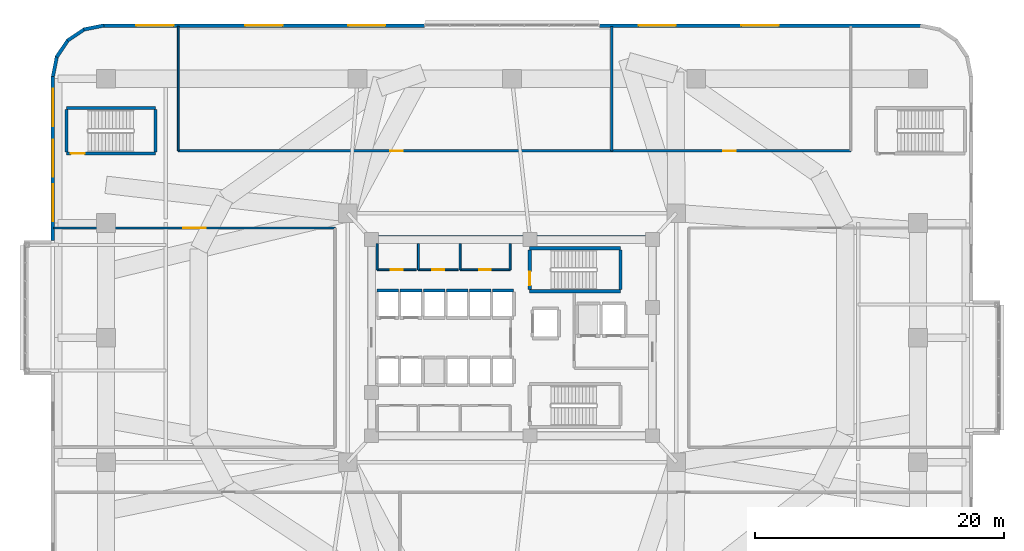
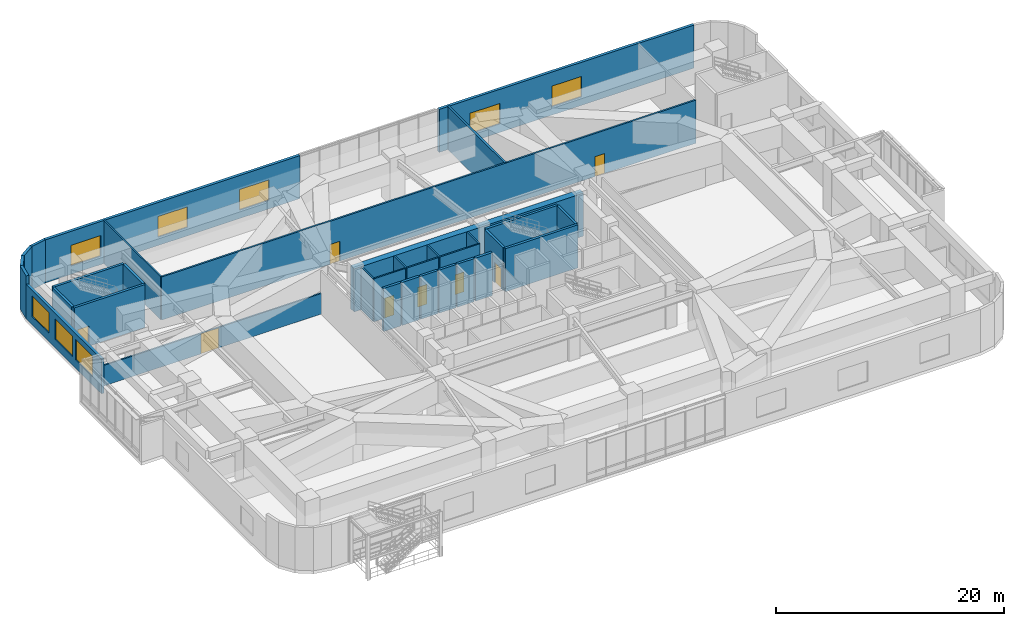
# One storey, part 19 of 26: 33 walls, 8 doors, 8 windows, 16 openings.
"""IFC4 building model written with IfcOpenShell, lengths in metres."""

from ifc_helpers import new_model, si_unit, direction, frame, frame_2d, origin, place, context, subcontext, project, spatial, rectangle, extrude, material, layer, layer_set, type_object, element, fill, save


model = new_model("IFC4")

# Units and contexts
model_context = context("Model", 3, precision=1e-05, world=origin(), true_north=direction((0.0, 1.0)))
body_context = subcontext(model_context, "Body", "Model", "MODEL_VIEW")
ifc_project = project(units=[si_unit("LENGTHUNIT", "METRE"), si_unit("AREAUNIT", "SQUARE_METRE"), si_unit("VOLUMEUNIT", "CUBIC_METRE"), si_unit("PLANEANGLEUNIT", "RADIAN"), si_unit("MASSUNIT", "GRAM", prefix="KILO")], contexts=[model_context])

# Site, building, storey
site_placement = place(None, origin())
site = spatial("IfcSite", under=ifc_project, at=site_placement, CompositionType="ELEMENT")
building_placement = place(site_placement, origin())
building = spatial("IfcBuilding", under=site, at=building_placement, Name="Zulverin Broadcast Headquarters", CompositionType="ELEMENT")
storey_placement = place(building_placement, frame((0.0, 0.0, 20.0)))
storey = spatial("IfcBuildingStorey", under=building, at=storey_placement, Name="L04", CompositionType="ELEMENT", Elevation=20.0)

# Walls
ifc_material_1 = material(Name="Acoustic drywall steel stud", Category="steel")
ifc_layer_1 = layer(ifc_material_1, 0.199951171875, Name="Acoustic drywall steel stud", Category="steel")
ifc_layer_set_1 = layer_set([ifc_layer_1], Name="Acoustic drywall steel stud")
wall_type_1 = type_object("IfcWallType", Name="WL-ACOU-200", PredefinedType="PARTITIONING", material=ifc_layer_set_1)
wall_1_placement = place(storey_placement, frame((45.0, 40.199951171875, 0.0), z_axis=(0.0, 0.0, 1.0), x_axis=(0.0, 1.0, 0.0)))
element("IfcWall", 1, at=wall_1_placement, inside=storey, type_object=wall_type_1, Name="L04 Room Partition Wall RP-03", PredefinedType="PARTITIONING", context=body_context, shape_type="SweptSolid", body=[
    extrude(rectangle(XDim=9.9951171875, YDim=0.199951171875, at=frame_2d((4.99755859375, 0.0))), origin(), (0.0, 0.0, 1.0), 4.60009765625),
])
ifc_material_2 = material(Name="Concrete C60/75", Category="concrete")
ifc_layer_2 = layer(ifc_material_2, 0.64990234375, Name="Concrete C60/75", Category="concrete")
ifc_layer_set_2 = layer_set([ifc_layer_2], Name="Concrete C60/75")
wall_type_2 = type_object("IfcWallType", Name="WL-CORE-650", PredefinedType="SHEAR", material=ifc_layer_set_2)
wall_2_placement = place(storey_placement, frame((25.39990234375, 33.074951171875, 0.0), z_axis=(0.0, 0.0, 1.0), x_axis=(1.0, 0.0, 0.0)))
element("IfcWall", 2, at=wall_2_placement, inside=storey, type_object=wall_type_2, Name="L04 Core North Shear Wall", PredefinedType="SHEAR", context=body_context, shape_type="SweptSolid", body=[
    extrude(rectangle(XDim=23.2001953125, YDim=0.64990234375, at=frame_2d((11.60009765625, 0.0))), origin(), (0.0, 0.0, 1.0), 4.60009765625),
])

# Wall, openings, windows
ifc_material_3 = material(Name="Insulated pale-metal clad concrete spandrel C40/50", Category="concrete")
ifc_layer_3 = layer(ifc_material_3, 0.280029296875, Name="Insulated pale-metal clad concrete spandrel C40/50", Category="concrete")
ifc_layer_set_3 = layer_set([ifc_layer_3], Name="Insulated pale-metal clad concrete spandrel C40/50")
wall_type_3 = type_object("IfcWallType", Name="WL-EXT-280", PredefinedType="STANDARD", material=ifc_layer_set_3)
wall_3_placement = place(storey_placement, frame((69.800048828125, 50.260009765625, 0.0), z_axis=(0.0, 0.0, 1.0), x_axis=(-1.0, 0.0, 0.0)))
wall_3 = element("IfcWall", 3, at=wall_3_placement, inside=storey, type_object=wall_type_3, Name="L04 Podium Flank Wall 2-1", PredefinedType="STANDARD", context=body_context, shape_type="SweptSolid", body=[
    extrude(rectangle(XDim=25.761962890625, YDim=0.280029296875, at=frame_2d((12.880859375, 0.0))), origin(), (0.0, 0.0, 1.0), 4.60009765625),
])
opening_1_placement = place(wall_3_placement, frame((11.381103515625, 0.0, 0.89990234375)))
opening_1 = element("IfcOpeningElement", 4, at=opening_1_placement, cuts=wall_3, Name="Opening W-L04-F211", PredefinedType="OPENING", context=body_context, shape_type="SweptSolid", body=[
    extrude(rectangle(XDim=3.0, YDim=2.199951171875, at=frame_2d((1.5, 1.10009765625))), frame((0.0, 0.14990234375, 0.0), z_axis=(0.0, -1.0, 0.0), x_axis=(1.0, 0.0, 0.0)), (0.0, 0.0, 1.0), 0.300048828125),
])
opening_2_placement = place(wall_3_placement, frame((19.635009765625, 0.0, 0.89990234375)))
opening_2 = element("IfcOpeningElement", 5, at=opening_2_placement, cuts=wall_3, Name="Opening W-L04-F212", PredefinedType="OPENING", context=body_context, shape_type="SweptSolid", body=[
    extrude(rectangle(XDim=3.0, YDim=2.199951171875, at=frame_2d((1.5, 1.10009765625))), frame((0.0, 0.14990234375, 0.0), z_axis=(0.0, -1.0, 0.0), x_axis=(1.0, 0.0, 0.0)), (0.0, 0.0, 1.0), 0.300048828125),
])
ifc_material_4 = material(Name="Pale anodized aluminium frame with solar-control low-E double glazing", Category="aluminium")
window_type = type_object("IfcWindowType", Name="WIN-POD-3000", PartitioningType="SINGLE_PANEL", PredefinedType="WINDOW", material=ifc_material_4)
window_1_placement = place(opening_1_placement, origin())
window_1 = element("IfcWindow", 6, at=window_1_placement, inside=storey, type_object=window_type, Name="L04 Podium Flank Window 2-1 1", OverallHeight=2.199951171875, OverallWidth=3.0, PartitioningType="SINGLE_PANEL", PredefinedType="WINDOW", context=body_context, shape_type="SweptSolid", body=[
    extrude(rectangle(XDim=3.0, YDim=2.199951171875, at=frame_2d((1.5, 1.10009765625))), frame((0.0, 0.030029296875, 0.0), z_axis=(0.0, -1.0, 0.0), x_axis=(1.0, 0.0, 0.0)), (0.0, 0.0, 1.0), 0.06005859375),
])
fill(opening_1, window_1)
window_2_placement = place(opening_2_placement, origin())
window_2 = element("IfcWindow", 7, at=window_2_placement, inside=storey, type_object=window_type, Name="L04 Podium Flank Window 2-1 2", OverallHeight=2.199951171875, OverallWidth=3.0, PartitioningType="SINGLE_PANEL", PredefinedType="WINDOW", context=body_context, shape_type="SweptSolid", body=[
    extrude(rectangle(XDim=3.0, YDim=2.199951171875, at=frame_2d((1.5, 1.10009765625))), frame((0.0, 0.030029296875, 0.0), z_axis=(0.0, -1.0, 0.0), x_axis=(1.0, 0.0, 0.0)), (0.0, 0.0, 1.0), 0.06005859375),
])
fill(opening_2, window_2)

wall_4_placement = place(storey_placement, frame((29.9619140625, 50.260009765625, 0.0), z_axis=(0.0, 0.0, 1.0), x_axis=(-1.0, 0.0, 0.0)))
wall_4 = element("IfcWall", 8, at=wall_4_placement, inside=storey, type_object=wall_type_3, Name="L04 Podium Flank Wall 2-2", PredefinedType="STANDARD", context=body_context, shape_type="SweptSolid", body=[
    extrude(rectangle(XDim=25.761962890625, YDim=0.280029296875, at=frame_2d((12.880859375, 0.0))), origin(), (0.0, 0.0, 1.0), 4.60009765625),
])
opening_3_placement = place(wall_4_placement, frame((3.126953125, 0.0, 0.89990234375)))
opening_3 = element("IfcOpeningElement", 9, at=opening_3_placement, cuts=wall_4, Name="Opening W-L04-F221", PredefinedType="OPENING", context=body_context, shape_type="SweptSolid", body=[
    extrude(rectangle(XDim=3.0, YDim=2.199951171875, at=frame_2d((1.5, 1.10009765625))), frame((0.0, 0.14990234375, 0.0), z_axis=(0.0, -1.0, 0.0), x_axis=(1.0, 0.0, 0.0)), (0.0, 0.0, 1.0), 0.300048828125),
])
opening_4_placement = place(wall_4_placement, frame((11.381103515625, 0.0, 0.89990234375)))
opening_4 = element("IfcOpeningElement", 10, at=opening_4_placement, cuts=wall_4, Name="Opening W-L04-F222", PredefinedType="OPENING", context=body_context, shape_type="SweptSolid", body=[
    extrude(rectangle(XDim=3.0, YDim=2.199951171875, at=frame_2d((1.5, 1.10009765625))), frame((0.0, 0.14990234375, 0.0), z_axis=(0.0, -1.0, 0.0), x_axis=(1.0, 0.0, 0.0)), (0.0, 0.0, 1.0), 0.300048828125),
])
opening_5_placement = place(wall_4_placement, frame((20.135009765625, 0.0, 0.89990234375)))
opening_5 = element("IfcOpeningElement", 11, at=opening_5_placement, cuts=wall_4, Name="Opening W-L04-F223", PredefinedType="OPENING", context=body_context, shape_type="SweptSolid", body=[
    extrude(rectangle(XDim=3.0, YDim=2.199951171875, at=frame_2d((1.5, 1.10009765625))), frame((0.0, 0.14990234375, 0.0), z_axis=(0.0, -1.0, 0.0), x_axis=(1.0, 0.0, 0.0)), (0.0, 0.0, 1.0), 0.300048828125),
])
window_3_placement = place(opening_3_placement, origin())
window_3 = element("IfcWindow", 12, at=window_3_placement, inside=storey, type_object=window_type, Name="L04 Podium Flank Window 2-2 1", OverallHeight=2.199951171875, OverallWidth=3.0, PartitioningType="SINGLE_PANEL", PredefinedType="WINDOW", context=body_context, shape_type="SweptSolid", body=[
    extrude(rectangle(XDim=3.0, YDim=2.199951171875, at=frame_2d((1.5, 1.10009765625))), frame((0.0, 0.030029296875, 0.0), z_axis=(0.0, -1.0, 0.0), x_axis=(1.0, 0.0, 0.0)), (0.0, 0.0, 1.0), 0.06005859375),
])
fill(opening_3, window_3)
window_4_placement = place(opening_4_placement, origin())
window_4 = element("IfcWindow", 13, at=window_4_placement, inside=storey, type_object=window_type, Name="L04 Podium Flank Window 2-2 2", OverallHeight=2.199951171875, OverallWidth=3.0, PartitioningType="SINGLE_PANEL", PredefinedType="WINDOW", context=body_context, shape_type="SweptSolid", body=[
    extrude(rectangle(XDim=3.0, YDim=2.199951171875, at=frame_2d((1.5, 1.10009765625))), frame((0.0, 0.030029296875, 0.0), z_axis=(0.0, -1.0, 0.0), x_axis=(1.0, 0.0, 0.0)), (0.0, 0.0, 1.0), 0.06005859375),
])
fill(opening_4, window_4)
window_5_placement = place(opening_5_placement, origin())
window_5 = element("IfcWindow", 14, at=window_5_placement, inside=storey, type_object=window_type, Name="L04 Podium Flank Window 2-2 3", OverallHeight=2.199951171875, OverallWidth=3.0, PartitioningType="SINGLE_PANEL", PredefinedType="WINDOW", context=body_context, shape_type="SweptSolid", body=[
    extrude(rectangle(XDim=3.0, YDim=2.199951171875, at=frame_2d((1.5, 1.10009765625))), frame((0.0, 0.030029296875, 0.0), z_axis=(0.0, -1.0, 0.0), x_axis=(1.0, 0.0, 0.0)), (0.0, 0.0, 1.0), 0.06005859375),
])
fill(opening_5, window_5)

wall_5_placement = place(storey_placement, frame((0.139892578125, 46.199951171875, 0.0), z_axis=(0.0, 0.0, 1.0), x_axis=(0.0, -1.0, 0.0)))
wall_5 = element("IfcWall", 15, at=wall_5_placement, inside=storey, type_object=wall_type_3, Name="L04 Podium Spandrel Wall 3-1", PredefinedType="STANDARD", context=body_context, shape_type="SweptSolid", body=[
    extrude(rectangle(XDim=13.199951171875, YDim=0.280029296875, at=frame_2d((6.60009765625, 0.0))), origin(), (0.0, 0.0, 1.0), 3.699951171875),
])
opening_6_placement = place(wall_5_placement, frame((1.033203125, 0.0, 0.89990234375)))
opening_6 = element("IfcOpeningElement", 16, at=opening_6_placement, cuts=wall_5, Name="Opening W-L04-E3S11", PredefinedType="OPENING", context=body_context, shape_type="SweptSolid", body=[
    extrude(rectangle(XDim=3.0, YDim=2.199951171875, at=frame_2d((1.5, 1.10009765625))), frame((0.0, 0.14990234375, 0.0), z_axis=(0.0, -1.0, 0.0), x_axis=(1.0, 0.0, 0.0)), (0.0, 0.0, 1.0), 0.300048828125),
])
opening_7_placement = place(wall_5_placement, frame((5.10009765625, 0.0, 0.89990234375)))
opening_7 = element("IfcOpeningElement", 17, at=opening_7_placement, cuts=wall_5, Name="Opening W-L04-E3S12", PredefinedType="OPENING", context=body_context, shape_type="SweptSolid", body=[
    extrude(rectangle(XDim=3.0, YDim=2.199951171875, at=frame_2d((1.5, 1.10009765625))), frame((0.0, 0.14990234375, 0.0), z_axis=(0.0, -1.0, 0.0), x_axis=(1.0, 0.0, 0.0)), (0.0, 0.0, 1.0), 0.300048828125),
])
opening_8_placement = place(wall_5_placement, frame((8.666748046875, 0.0, 0.89990234375)))
opening_8 = element("IfcOpeningElement", 18, at=opening_8_placement, cuts=wall_5, Name="Opening W-L04-E3S13", PredefinedType="OPENING", context=body_context, shape_type="SweptSolid", body=[
    extrude(rectangle(XDim=3.0, YDim=2.199951171875, at=frame_2d((1.5, 1.10009765625))), frame((0.0, 0.14990234375, 0.0), z_axis=(0.0, -1.0, 0.0), x_axis=(1.0, 0.0, 0.0)), (0.0, 0.0, 1.0), 0.300048828125),
])
window_6_placement = place(opening_6_placement, origin())
window_6 = element("IfcWindow", 19, at=window_6_placement, inside=storey, type_object=window_type, Name="L04 Podium Ribbon Window 3-1 1", OverallHeight=2.199951171875, OverallWidth=3.0, PartitioningType="SINGLE_PANEL", PredefinedType="WINDOW", context=body_context, shape_type="SweptSolid", body=[
    extrude(rectangle(XDim=3.0, YDim=2.199951171875, at=frame_2d((1.5, 1.10009765625))), frame((0.0, 0.030029296875, 0.0), z_axis=(0.0, -1.0, 0.0), x_axis=(1.0, 0.0, 0.0)), (0.0, 0.0, 1.0), 0.06005859375),
])
fill(opening_6, window_6)
window_7_placement = place(opening_7_placement, origin())
window_7 = element("IfcWindow", 20, at=window_7_placement, inside=storey, type_object=window_type, Name="L04 Podium Ribbon Window 3-1 2", OverallHeight=2.199951171875, OverallWidth=3.0, PartitioningType="SINGLE_PANEL", PredefinedType="WINDOW", context=body_context, shape_type="SweptSolid", body=[
    extrude(rectangle(XDim=3.0, YDim=2.199951171875, at=frame_2d((1.5, 1.10009765625))), frame((0.0, 0.030029296875, 0.0), z_axis=(0.0, -1.0, 0.0), x_axis=(1.0, 0.0, 0.0)), (0.0, 0.0, 1.0), 0.06005859375),
])
fill(opening_7, window_7)
window_8_placement = place(opening_8_placement, origin())
window_8 = element("IfcWindow", 21, at=window_8_placement, inside=storey, type_object=window_type, Name="L04 Podium Ribbon Window 3-1 3", OverallHeight=2.199951171875, OverallWidth=3.0, PartitioningType="SINGLE_PANEL", PredefinedType="WINDOW", context=body_context, shape_type="SweptSolid", body=[
    extrude(rectangle(XDim=3.0, YDim=2.199951171875, at=frame_2d((1.5, 1.10009765625))), frame((0.0, 0.030029296875, 0.0), z_axis=(0.0, -1.0, 0.0), x_axis=(1.0, 0.0, 0.0)), (0.0, 0.0, 1.0), 0.06005859375),
])
fill(opening_8, window_8)

# Walls
wall_6_placement = place(storey_placement, frame((4.227294921875, 50.2626953125, 0.0), z_axis=(0.0, 0.0, 1.0), x_axis=(-0.980797825116, -0.195027244885, 0.0)))
element("IfcWall", 22, at=wall_6_placement, inside=storey, type_object=wall_type_3, Name="L04 Wind-Shaped Corner Spandrel Wall 2-1", PredefinedType="STANDARD", context=body_context, shape_type="SweptSolid", body=[
    extrude(rectangle(XDim=1.638671875, YDim=0.280029296875, at=frame_2d((0.8193359375, 0.0))), origin(), (0.0, 0.0, 1.0), 4.60009765625),
])
wall_7_placement = place(storey_placement, frame((2.67041015625, 49.9638671875, 0.0), z_axis=(0.0, 0.0, 1.0), x_axis=(-0.831430845238, -0.555628247651, 0.0)))
element("IfcWall", 23, at=wall_7_placement, inside=storey, type_object=wall_type_3, Name="L04 Wind-Shaped Corner Spandrel Wall 2-2", PredefinedType="STANDARD", context=body_context, shape_type="SweptSolid", body=[
    extrude(rectangle(XDim=1.638427734375, YDim=0.280029296875, at=frame_2d((0.8193359375, 0.0))), origin(), (0.0, 0.0, 1.0), 4.60009765625),
])
for number, where, z_axis, x_axis, name in (
    (24, (1.3466796875, 49.092041015625, 0.0), (0.0, 0.0, 1.0), (-0.555662407875, -0.831408015643, 0.0), "L04 Wind-Shaped Corner Spandrel Wall 2-3"),
    (25, (0.45703125, 47.780029296875, 0.0), (0.0, 0.0, 1.0), (-0.195142046967, -0.980774990253, 0.0), "L04 Wind-Shaped Corner Spandrel Wall 2-4"),
):
    element("IfcWall", number, at=place(storey_placement, frame(where, z_axis=z_axis, x_axis=x_axis)), inside=storey, type_object=wall_type_3, Name=name, PredefinedType="STANDARD", context=body_context, shape_type="SweptSolid", body=[
        extrude(rectangle(XDim=1.638916015625, YDim=0.280029296875, at=frame_2d((0.8193359375, 0.0))), origin(), (0.0, 0.0, 1.0), 4.60009765625),
    ])

# Wall, opening, door
ifc_material_5 = material(Name="Fire-rated gypsum stud partition", Category="gypsum")
ifc_layer_4 = layer(ifc_material_5, 0.14990234375, Name="Fire-rated gypsum stud partition", Category="gypsum")
ifc_layer_set_4 = layer_set([ifc_layer_4], Name="Fire-rated gypsum stud partition")
wall_type_4 = type_object("IfcWallType", Name="WL-PART-150", PredefinedType="PARTITIONING", material=ifc_layer_set_4)
wall_8_placement = place(storey_placement, frame((26.169921875, 30.64990234375, 0.0), z_axis=(0.0, 0.0, 1.0), x_axis=(1.0, 0.0, 0.0)))
wall_8 = element("IfcWall", 26, at=wall_8_placement, inside=storey, type_object=wall_type_4, Name="L04 Core Male WC Front Wall", PredefinedType="PARTITIONING", context=body_context, shape_type="SweptSolid", body=[
    extrude(rectangle(XDim=3.150146484375, YDim=0.14990234375, at=frame_2d((1.5751953125, 0.0))), origin(), (0.0, 0.0, 1.0), 4.60009765625),
])
opening_9_placement = place(wall_8_placement, frame((1.10009765625, 0.0, 0.0)))
opening_9 = element("IfcOpeningElement", 27, at=opening_9_placement, cuts=wall_8, Name="Opening D-L04-NC1", PredefinedType="OPENING", context=body_context, shape_type="SweptSolid", body=[
    extrude(rectangle(XDim=0.949951171875, YDim=2.10009765625, at=frame_2d((0.47509765625, 1.050048828125))), frame((0.0, 0.0849609375, 0.0), z_axis=(0.0, -1.0, 0.0), x_axis=(1.0, 0.0, 0.0)), (0.0, 0.0, 1.0), 0.169921875),
])
ifc_material_6 = material(Name="Fire-rated moisture-resistant laminate leaf", Category="wood")
door_type_1 = type_object("IfcDoorType", Name="DR-WC-950", OperationType="SINGLE_SWING_LEFT", PredefinedType="DOOR", material=ifc_material_6)
door_1_placement = place(opening_9_placement, origin())
door_1 = element("IfcDoor", 28, at=door_1_placement, inside=storey, type_object=door_type_1, Name="L04 Male WC Door", OperationType="SINGLE_SWING_LEFT", OverallHeight=2.10009765625, OverallWidth=0.949951171875, PredefinedType="DOOR", context=body_context, shape_type="SweptSolid", body=[
    extrude(rectangle(XDim=0.949951171875, YDim=2.10009765625, at=frame_2d((0.47509765625, 1.050048828125))), frame((0.0, 0.02490234375, 0.0), z_axis=(0.0, -1.0, 0.0), x_axis=(1.0, 0.0, 0.0)), (0.0, 0.0, 1.0), 0.050048828125),
])
fill(opening_9, door_1)

# Wall
wall_9_placement = place(storey_placement, frame((26.169921875, 30.64990234375, 0.0), z_axis=(0.0, 0.0, 1.0), x_axis=(0.0, 1.0, 0.0)))
element("IfcWall", 29, at=wall_9_placement, inside=storey, type_object=wall_type_4, Name="L04 Core Male WC West Wall", PredefinedType="PARTITIONING", context=body_context, shape_type="SweptSolid", body=[
    extrude(rectangle(XDim=2.10009765625, YDim=0.14990234375, at=frame_2d((1.050048828125, 0.0))), origin(), (0.0, 0.0, 1.0), 4.60009765625),
])

# Wall, opening, door
wall_10_placement = place(storey_placement, frame((29.47998046875, 30.64990234375, 0.0), z_axis=(0.0, 0.0, 1.0), x_axis=(1.0, 0.0, 0.0)))
wall_10 = element("IfcWall", 30, at=wall_10_placement, inside=storey, type_object=wall_type_4, Name="L04 Core Accessible WC Front Wall", PredefinedType="PARTITIONING", context=body_context, shape_type="SweptSolid", body=[
    extrude(rectangle(XDim=3.18994140625, YDim=0.14990234375, at=frame_2d((1.594970703125, 0.0))), origin(), (0.0, 0.0, 1.0), 4.60009765625),
])
opening_10_placement = place(wall_10_placement, frame((1.1201171875, 0.0, 0.0)))
opening_10 = element("IfcOpeningElement", 31, at=opening_10_placement, cuts=wall_10, Name="Opening D-L04-NC2", PredefinedType="OPENING", context=body_context, shape_type="SweptSolid", body=[
    extrude(rectangle(XDim=0.949951171875, YDim=2.10009765625, at=frame_2d((0.47509765625, 1.050048828125))), frame((0.0, 0.0849609375, 0.0), z_axis=(0.0, -1.0, 0.0), x_axis=(1.0, 0.0, 0.0)), (0.0, 0.0, 1.0), 0.169921875),
])
door_2_placement = place(opening_10_placement, origin())
door_2 = element("IfcDoor", 32, at=door_2_placement, inside=storey, type_object=door_type_1, Name="L04 Accessible WC Door", OperationType="SINGLE_SWING_RIGHT", OverallHeight=2.10009765625, OverallWidth=0.949951171875, PredefinedType="DOOR", context=body_context, shape_type="SweptSolid", body=[
    extrude(rectangle(XDim=0.949951171875, YDim=2.10009765625, at=frame_2d((0.47509765625, 1.050048828125))), frame((0.0, 0.02490234375, 0.0), z_axis=(0.0, -1.0, 0.0), x_axis=(1.0, 0.0, 0.0)), (0.0, 0.0, 1.0), 0.050048828125),
])
fill(opening_10, door_2)

# Wall
wall_11_placement = place(storey_placement, frame((29.47998046875, 30.64990234375, 0.0), z_axis=(0.0, 0.0, 1.0), x_axis=(0.0, 1.0, 0.0)))
element("IfcWall", 33, at=wall_11_placement, inside=storey, type_object=wall_type_4, Name="L04 Core Accessible WC West Wall", PredefinedType="PARTITIONING", context=body_context, shape_type="SweptSolid", body=[
    extrude(rectangle(XDim=2.10009765625, YDim=0.14990234375, at=frame_2d((1.050048828125, 0.0))), origin(), (0.0, 0.0, 1.0), 4.60009765625),
])

# Wall, opening, door
wall_12_placement = place(storey_placement, frame((32.830078125, 30.64990234375, 0.0), z_axis=(0.0, 0.0, 1.0), x_axis=(1.0, 0.0, 0.0)))
wall_12 = element("IfcWall", 34, at=wall_12_placement, inside=storey, type_object=wall_type_4, Name="L04 Core Electrical Distribution Riser Front Wall", PredefinedType="PARTITIONING", context=body_context, shape_type="SweptSolid", body=[
    extrude(rectangle(XDim=4.02001953125, YDim=0.14990234375, at=frame_2d((2.010009765625, 0.0))), origin(), (0.0, 0.0, 1.0), 4.60009765625),
])
opening_11_placement = place(wall_12_placement, frame((1.56005859375, 0.0, 0.0)))
opening_11 = element("IfcOpeningElement", 35, at=opening_11_placement, cuts=wall_12, Name="Opening D-L04-NC3", PredefinedType="OPENING", context=body_context, shape_type="SweptSolid", body=[
    extrude(rectangle(XDim=0.89990234375, YDim=2.10009765625, at=frame_2d((0.449951171875, 1.050048828125))), frame((0.0, 0.0849609375, 0.0), z_axis=(0.0, -1.0, 0.0), x_axis=(1.0, 0.0, 0.0)), (0.0, 0.0, 1.0), 0.169921875),
])
ifc_material_7 = material(Name="Powder-coated steel access leaf", Category="steel")
door_type_2 = type_object("IfcDoorType", Name="DR-RISER-900", OperationType="SINGLE_SWING_LEFT", PredefinedType="DOOR", material=ifc_material_7)
door_3_placement = place(opening_11_placement, origin())
door_3 = element("IfcDoor", 36, at=door_3_placement, inside=storey, type_object=door_type_2, Name="L04 Electrical Distribution Riser Door", OperationType="SINGLE_SWING_LEFT", OverallHeight=2.10009765625, OverallWidth=0.89990234375, PredefinedType="DOOR", context=body_context, shape_type="SweptSolid", body=[
    extrude(rectangle(XDim=0.89990234375, YDim=2.10009765625, at=frame_2d((0.449951171875, 1.050048828125))), frame((0.0, 0.02490234375, 0.0), z_axis=(0.0, -1.0, 0.0), x_axis=(1.0, 0.0, 0.0)), (0.0, 0.0, 1.0), 0.050048828125),
])
fill(opening_11, door_3)

# Walls
for number, where, z_axis, x_axis, name in (
    (37, (32.830078125, 30.64990234375, 0.0), (0.0, 0.0, 1.0), (0.0, 1.0, 0.0), "L04 Core Electrical Distribution Riser West Wall"),
    (38, (36.85009765625, 30.64990234375, 0.0), (0.0, 0.0, 1.0), (0.0, 1.0, 0.0), "L04 Core Electrical Distribution Riser East Wall"),
):
    element("IfcWall", number, at=place(storey_placement, frame(where, z_axis=z_axis, x_axis=x_axis)), inside=storey, type_object=wall_type_4, Name=name, PredefinedType="PARTITIONING", context=body_context, shape_type="SweptSolid", body=[
        extrude(rectangle(XDim=2.10009765625, YDim=0.14990234375, at=frame_2d((1.050048828125, 0.0))), origin(), (0.0, 0.0, 1.0), 4.60009765625),
    ])
wall_13_placement = place(storey_placement, frame((10.199951171875, 40.199951171875, 0.0), z_axis=(0.0, 0.0, 1.0), x_axis=(0.0, 1.0, 0.0)))
element("IfcWall", 39, at=wall_13_placement, inside=storey, type_object=wall_type_4, Name="L04 Gallery Partition Wall CG-06", PredefinedType="PARTITIONING", context=body_context, shape_type="SweptSolid", body=[
    extrude(rectangle(XDim=9.9951171875, YDim=0.14990234375, at=frame_2d((4.99755859375, 0.0))), origin(), (0.0, 0.0, 1.0), 4.60009765625),
])

# Wall, opening, door
wall_14_placement = place(storey_placement, frame((0.205078125, 34.0, 0.0), z_axis=(0.0, 0.0, 1.0), x_axis=(1.0, 0.0, 0.0)))
wall_14 = element("IfcWall", 40, at=wall_14_placement, inside=storey, type_object=wall_type_4, Name="L04 Gallery Partition Wall CG-10", PredefinedType="PARTITIONING", context=body_context, shape_type="SweptSolid", body=[
    extrude(rectangle(XDim=22.594970703125, YDim=0.14990234375, at=frame_2d((11.29736328125, 0.0))), origin(), (0.0, 0.0, 1.0), 2.199951171875),
])
opening_12_placement = place(wall_14_placement, frame((10.3974609375, 0.0, 0.0)))
opening_12 = element("IfcOpeningElement", 41, at=opening_12_placement, cuts=wall_14, Name="Opening D-L04-STDW", PredefinedType="OPENING", context=body_context, shape_type="SweptSolid", body=[
    extrude(rectangle(XDim=1.800048828125, YDim=2.14990234375, at=frame_2d((0.89990234375, 1.074951171875))), frame((0.0, 0.0849609375, 0.0), z_axis=(0.0, -1.0, 0.0), x_axis=(1.0, 0.0, 0.0)), (0.0, 0.0, 1.0), 0.169921875),
])
ifc_material_8 = material(Name="Acoustic steel studio door", Category="steel")
door_type_3 = type_object("IfcDoorType", Name="DR-STD-1800", OperationType="DOUBLE_DOOR_SINGLE_SWING", PredefinedType="DOOR", material=ifc_material_8)
door_4_placement = place(opening_12_placement, origin())
door_4 = element("IfcDoor", 42, at=door_4_placement, inside=storey, type_object=door_type_3, Name="L04 West Live Television Broadcast Studio Door", OperationType="DOUBLE_DOOR_SINGLE_SWING", OverallHeight=2.14990234375, OverallWidth=1.800048828125, PredefinedType="DOOR", context=body_context, shape_type="SweptSolid", body=[
    extrude(rectangle(XDim=1.800048828125, YDim=2.14990234375, at=frame_2d((0.89990234375, 1.074951171875))), frame((0.0, 0.02490234375, 0.0), z_axis=(0.0, -1.0, 0.0), x_axis=(1.0, 0.0, 0.0)), (0.0, 0.0, 1.0), 0.050048828125),
])
fill(opening_12, door_4)

# Wall, openings, doors
ifc_material_9 = material(Name="Fire-rated acoustic stud wall", Category="gypsum")
ifc_layer_5 = layer(ifc_material_9, 0.175048828125, Name="Fire-rated acoustic stud wall", Category="gypsum")
ifc_layer_set_5 = layer_set([ifc_layer_5], Name="Fire-rated acoustic stud wall")
wall_type_5 = type_object("IfcWallType", Name="WL-PART-175", PredefinedType="PARTITIONING", material=ifc_layer_set_5)
wall_15_placement = place(storey_placement, frame((10.199951171875, 40.199951171875, 0.0), z_axis=(0.0, 0.0, 1.0), x_axis=(1.0, 0.0, 0.0)))
wall_15 = element("IfcWall", 43, at=wall_15_placement, inside=storey, type_object=wall_type_5, Name="L04 Gallery Partition Wall CG-12", PredefinedType="PARTITIONING", context=body_context, shape_type="SweptSolid", body=[
    extrude(rectangle(XDim=54.0, YDim=0.175048828125, at=frame_2d((27.0, 0.0))), origin(), (0.0, 0.0, 1.0), 4.60009765625),
])
opening_13_placement = place(wall_15_placement, frame((17.02001953125, 0.0, 0.0)))
opening_13 = element("IfcOpeningElement", 44, at=opening_13_placement, cuts=wall_15, Name="Opening D-L04-NORTH1", PredefinedType="OPENING", context=body_context, shape_type="SweptSolid", body=[
    extrude(rectangle(XDim=1.0, YDim=2.1201171875, at=frame_2d((0.5, 1.06005859375))), frame((0.0, 0.097412109375, 0.0), z_axis=(0.0, -1.0, 0.0), x_axis=(1.0, 0.0, 0.0)), (0.0, 0.0, 1.0), 0.195068359375),
])
opening_14_placement = place(wall_15_placement, frame((43.780029296875, 0.0, 0.0)))
opening_14 = element("IfcOpeningElement", 45, at=opening_14_placement, cuts=wall_15, Name="Opening D-L04-NORTH2", PredefinedType="OPENING", context=body_context, shape_type="SweptSolid", body=[
    extrude(rectangle(XDim=1.0, YDim=2.1201171875, at=frame_2d((0.5, 1.06005859375))), frame((0.0, 0.097412109375, 0.0), z_axis=(0.0, -1.0, 0.0), x_axis=(1.0, 0.0, 0.0)), (0.0, 0.0, 1.0), 0.195068359375),
])
ifc_material_10 = material(Name="Hardwood veneer acoustic leaf", Category="wood")
door_type_4 = type_object("IfcDoorType", Name="DR-OFF-1000", OperationType="SINGLE_SWING_LEFT", PredefinedType="DOOR", material=ifc_material_10)
door_5_placement = place(opening_13_placement, origin())
door_5 = element("IfcDoor", 46, at=door_5_placement, inside=storey, type_object=door_type_4, Name="L04 Newsroom Editorial Open Workplace Door", OperationType="SINGLE_SWING_RIGHT", OverallHeight=2.1201171875, OverallWidth=1.0, PredefinedType="DOOR", context=body_context, shape_type="SweptSolid", body=[
    extrude(rectangle(XDim=1.0, YDim=2.1201171875, at=frame_2d((0.5, 1.06005859375))), frame((0.0, 0.02490234375, 0.0), z_axis=(0.0, -1.0, 0.0), x_axis=(1.0, 0.0, 0.0)), (0.0, 0.0, 1.0), 0.050048828125),
])
fill(opening_13, door_5)
door_6_placement = place(opening_14_placement, origin())
door_6 = element("IfcDoor", 47, at=door_6_placement, inside=storey, type_object=door_type_4, Name="L04 Broadcast Graphics & Media Lab Door", OperationType="SINGLE_SWING_LEFT", OverallHeight=2.1201171875, OverallWidth=1.0, PredefinedType="DOOR", context=body_context, shape_type="SweptSolid", body=[
    extrude(rectangle(XDim=1.0, YDim=2.1201171875, at=frame_2d((0.5, 1.06005859375))), frame((0.0, 0.02490234375, 0.0), z_axis=(0.0, -1.0, 0.0), x_axis=(1.0, 0.0, 0.0)), (0.0, 0.0, 1.0), 0.050048828125),
])
fill(opening_14, door_6)

# Walls
ifc_material_11 = material(Name="Concrete C50/60", Category="concrete")
ifc_layer_6 = layer(ifc_material_11, 0.25, Name="Concrete C50/60", Category="concrete")
ifc_layer_set_6 = layer_set([ifc_layer_6], Name="Concrete C50/60")
wall_type_6 = type_object("IfcWallType", Name="WL-SHAFT-250", PredefinedType="SHEAR", material=ifc_layer_set_6)
for number, where, z_axis, x_axis, name in (
    (48, (38.425048828125, 28.925048828125, 0.0), (0.0, 0.0, 1.0), (1.0, 0.0, 0.0), "L04 ST-1 Enclosure Wall S"),
    (49, (38.425048828125, 32.375, 0.0), (0.0, 0.0, 1.0), (1.0, 0.0, 0.0), "L04 ST-1 Enclosure Wall N"),
):
    element("IfcWall", number, at=place(storey_placement, frame(where, z_axis=z_axis, x_axis=x_axis)), inside=storey, type_object=wall_type_6, Name=name, PredefinedType="SHEAR", context=body_context, shape_type="SweptSolid", body=[
        extrude(rectangle(XDim=7.300048828125, YDim=0.25, at=frame_2d((3.64990234375, 0.0))), origin(), (0.0, 0.0, 1.0), 4.60009765625),
    ])

# Wall, opening, door
wall_16_placement = place(storey_placement, frame((38.425048828125, 29.050048828125, 0.0), z_axis=(0.0, 0.0, 1.0), x_axis=(0.0, 1.0, 0.0)))
wall_16 = element("IfcWall", 50, at=wall_16_placement, inside=storey, type_object=wall_type_6, Name="L04 ST-1 Enclosure Wall W", PredefinedType="SHEAR", context=body_context, shape_type="SweptSolid", body=[
    extrude(rectangle(XDim=3.199951171875, YDim=0.25, at=frame_2d((1.60009765625, 0.0))), origin(), (0.0, 0.0, 1.0), 4.60009765625),
])
opening_15_placement = place(wall_16_placement, frame((0.35009765625, 0.0, 0.0)))
opening_15 = element("IfcOpeningElement", 51, at=opening_15_placement, cuts=wall_16, Name="Opening D-L04-ST-1", PredefinedType="OPENING", context=body_context, shape_type="SweptSolid", body=[
    extrude(rectangle(XDim=1.10009765625, YDim=2.14990234375, at=frame_2d((0.550048828125, 1.074951171875))), frame((0.0, 0.135009765625, 0.0), z_axis=(0.0, -1.0, 0.0), x_axis=(1.0, 0.0, 0.0)), (0.0, 0.0, 1.0), 0.27001953125),
])
ifc_material_12 = material(Name="Fire-rated steel leaf and frame", Category="steel")
door_type_5 = type_object("IfcDoorType", Name="DR-STAIR-1100", OperationType="SINGLE_SWING_LEFT", PredefinedType="DOOR", material=ifc_material_12)
door_7_placement = place(opening_15_placement, origin())
door_7 = element("IfcDoor", 52, at=door_7_placement, inside=storey, type_object=door_type_5, Name="L04 Exit Stair ST-1 Fire Door", OperationType="SINGLE_SWING_LEFT", OverallHeight=2.14990234375, OverallWidth=1.10009765625, PredefinedType="DOOR", context=body_context, shape_type="SweptSolid", body=[
    extrude(rectangle(XDim=1.10009765625, YDim=2.14990234375, at=frame_2d((0.550048828125, 1.074951171875))), frame((0.0, 0.02490234375, 0.0), z_axis=(0.0, -1.0, 0.0), x_axis=(1.0, 0.0, 0.0)), (0.0, 0.0, 1.0), 0.050048828125),
])
fill(opening_15, door_7)

# Wall
wall_17_placement = place(storey_placement, frame((45.72509765625, 29.050048828125, 0.0), z_axis=(0.0, 0.0, 1.0), x_axis=(0.0, 1.0, 0.0)))
element("IfcWall", 53, at=wall_17_placement, inside=storey, type_object=wall_type_6, Name="L04 ST-1 Enclosure Wall E", PredefinedType="SHEAR", context=body_context, shape_type="SweptSolid", body=[
    extrude(rectangle(XDim=3.199951171875, YDim=0.25, at=frame_2d((1.60009765625, 0.0))), origin(), (0.0, 0.0, 1.0), 4.60009765625),
])

# Wall, opening, door
wall_18_placement = place(storey_placement, frame((1.22509765625, 39.97509765625, 0.0), z_axis=(0.0, 0.0, 1.0), x_axis=(1.0, 0.0, 0.0)))
wall_18 = element("IfcWall", 54, at=wall_18_placement, inside=storey, type_object=wall_type_6, Name="L04 ST-3 Enclosure Wall S", PredefinedType="SHEAR", context=body_context, shape_type="SweptSolid", body=[
    extrude(rectangle(XDim=7.14990234375, YDim=0.25, at=frame_2d((3.574951171875, 0.0))), origin(), (0.0, 0.0, 1.0), 4.60009765625),
])
opening_16_placement = place(wall_18_placement, frame((0.35009765625, 0.0, 0.0)))
opening_16 = element("IfcOpeningElement", 55, at=opening_16_placement, cuts=wall_18, Name="Opening D-L04-ST-3", PredefinedType="OPENING", context=body_context, shape_type="SweptSolid", body=[
    extrude(rectangle(XDim=1.10009765625, YDim=2.14990234375, at=frame_2d((0.550048828125, 1.074951171875))), frame((0.0, 0.135009765625, 0.0), z_axis=(0.0, -1.0, 0.0), x_axis=(1.0, 0.0, 0.0)), (0.0, 0.0, 1.0), 0.27001953125),
])
door_8_placement = place(opening_16_placement, origin())
door_8 = element("IfcDoor", 56, at=door_8_placement, inside=storey, type_object=door_type_5, Name="L04 Exit Stair ST-3 Fire Door", OperationType="SINGLE_SWING_LEFT", OverallHeight=2.14990234375, OverallWidth=1.10009765625, PredefinedType="DOOR", context=body_context, shape_type="SweptSolid", body=[
    extrude(rectangle(XDim=1.10009765625, YDim=2.14990234375, at=frame_2d((0.550048828125, 1.074951171875))), frame((0.0, 0.02490234375, 0.0), z_axis=(0.0, -1.0, 0.0), x_axis=(1.0, 0.0, 0.0)), (0.0, 0.0, 1.0), 0.050048828125),
])
fill(opening_16, door_8)

# Walls
wall_19_placement = place(storey_placement, frame((1.22509765625, 43.625, 0.0), z_axis=(0.0, 0.0, 1.0), x_axis=(1.0, 0.0, 0.0)))
element("IfcWall", 57, at=wall_19_placement, inside=storey, type_object=wall_type_6, Name="L04 ST-3 Enclosure Wall N", PredefinedType="SHEAR", context=body_context, shape_type="SweptSolid", body=[
    extrude(rectangle(XDim=7.14990234375, YDim=0.25, at=frame_2d((3.574951171875, 0.0))), origin(), (0.0, 0.0, 1.0), 4.60009765625),
])
for number, where, z_axis, x_axis, name in (
    (58, (1.22509765625, 40.10009765625, 0.0), (0.0, 0.0, 1.0), (0.0, 1.0, 0.0), "L04 ST-3 Enclosure Wall W"),
    (59, (8.375, 40.10009765625, 0.0), (0.0, 0.0, 1.0), (0.0, 1.0, 0.0), "L04 ST-3 Enclosure Wall E"),
):
    element("IfcWall", number, at=place(storey_placement, frame(where, z_axis=z_axis, x_axis=x_axis)), inside=storey, type_object=wall_type_6, Name=name, PredefinedType="SHEAR", context=body_context, shape_type="SweptSolid", body=[
        extrude(rectangle(XDim=3.39990234375, YDim=0.25, at=frame_2d((1.699951171875, 0.0))), origin(), (0.0, 0.0, 1.0), 4.60009765625),
    ])
for number, where, z_axis, x_axis, name in (
    (60, (26.14990234375, 29.0, 0.0), (0.0, 0.0, 1.0), (1.0, 0.0, 0.0), "L04 Lift PL-L1 Shaft Wall N"),
    (61, (28.02001953125, 29.0, 0.0), (0.0, 0.0, 1.0), (1.0, 0.0, 0.0), "L04 Lift PL-L2 Shaft Wall N"),
):
    element("IfcWall", number, at=place(storey_placement, frame(where, z_axis=z_axis, x_axis=x_axis)), inside=storey, type_object=wall_type_6, Name=name, PredefinedType="SHEAR", context=body_context, shape_type="SweptSolid", body=[
        extrude(rectangle(XDim=1.75, YDim=0.25, at=frame_2d((0.875, 0.0))), origin(), (0.0, 0.0, 1.0), 4.60009765625),
    ])
wall_20_placement = place(storey_placement, frame((29.89990234375, 29.0, 0.0), z_axis=(0.0, 0.0, 1.0), x_axis=(1.0, 0.0, 0.0)))
element("IfcWall", 62, at=wall_20_placement, inside=storey, type_object=wall_type_6, Name="L04 Lift PL-H1 Shaft Wall N", PredefinedType="SHEAR", context=body_context, shape_type="SweptSolid", body=[
    extrude(rectangle(XDim=1.72021484375, YDim=0.25, at=frame_2d((0.860107421875, 0.0))), origin(), (0.0, 0.0, 1.0), 4.60009765625),
])
for number, where, z_axis, x_axis, name in (
    (63, (31.739990234375, 29.0, 0.0), (0.0, 0.0, 1.0), (1.0, 0.0, 0.0), "L04 Lift PL-H2 Shaft Wall N"),
    (64, (33.580078125, 29.0, 0.0), (0.0, 0.0, 1.0), (1.0, 0.0, 0.0), "L04 Lift PL-H3 Shaft Wall N"),
    (65, (35.419921875, 29.0, 0.0), (0.0, 0.0, 1.0), (1.0, 0.0, 0.0), "L04 Lift PL-H4 Shaft Wall N"),
):
    element("IfcWall", number, at=place(storey_placement, frame(where, z_axis=z_axis, x_axis=x_axis)), inside=storey, type_object=wall_type_6, Name=name, PredefinedType="SHEAR", context=body_context, shape_type="SweptSolid", body=[
        extrude(rectangle(XDim=1.719970703125, YDim=0.25, at=frame_2d((0.85986328125, 0.0))), origin(), (0.0, 0.0, 1.0), 4.60009765625),
    ])

save(model, "model.ifc")
